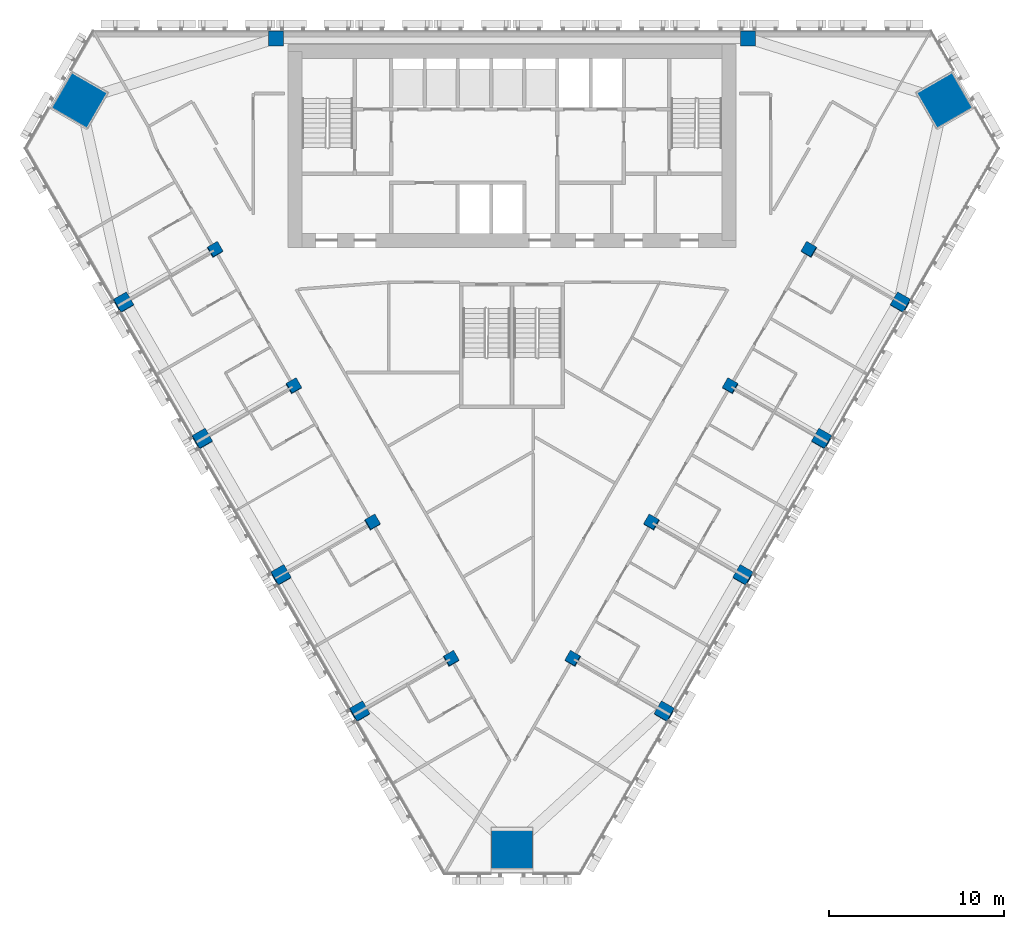
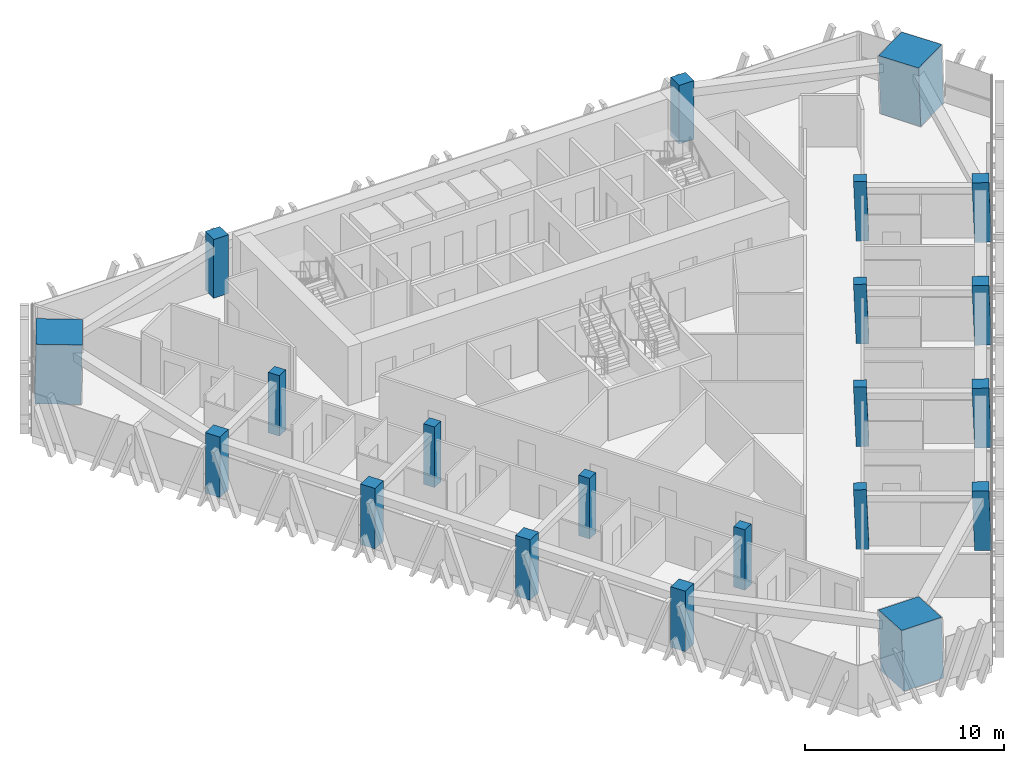
# One storey, part 1 of 16: 21 columns.
"""IFC4 building model written with IfcOpenShell, lengths in metres."""

from ifc_helpers import new_model, si_unit, direction, frame, origin, origin_2d, place, context, subcontext, project, spatial, rectangle, extrude, material, material_profile, profile_set, type_object, element, save


model = new_model("IFC4")

# Units and contexts
model_context = context("Model", 3, precision=1e-05, world=origin(), true_north=direction((0.0, 1.0)))
body_context = subcontext(model_context, "Body", "Model", "MODEL_VIEW")
ifc_project = project(units=[si_unit("LENGTHUNIT", "METRE"), si_unit("AREAUNIT", "SQUARE_METRE"), si_unit("VOLUMEUNIT", "CUBIC_METRE"), si_unit("PLANEANGLEUNIT", "RADIAN"), si_unit("MASSUNIT", "GRAM", prefix="KILO")], contexts=[model_context])

# Site, building, storey
site_placement = place(None, origin())
site = spatial("IfcSite", under=ifc_project, at=site_placement, CompositionType="ELEMENT")
building_placement = place(site_placement, origin())
building = spatial("IfcBuilding", under=site, at=building_placement, Name="Altiplano Prism Tower", CompositionType="ELEMENT")
storey_placement = place(building_placement, frame((0.0, 0.0, 131.39990234375)))
storey = spatial("IfcBuildingStorey", under=building, at=storey_placement, Name="L33", CompositionType="ELEMENT", Elevation=131.39990234375)

# Columns
ifc_material_1 = material(Name="Concrete C60/75", Category="concrete")
ifc_material_profile_1 = material_profile(ifc_material_1, rectangle(XDim=0.64990234375, YDim=0.64990234375, at=origin_2d()), Name="Inner column 650")
ifc_profile_set_1 = profile_set([ifc_material_profile_1], Name="Concrete C60/75")
column_type_1 = type_object("IfcColumnType", Name="Inner column 650", PredefinedType="COLUMN", material=ifc_profile_set_1)
for number, where, z_axis, x_axis, name in (
    (1, (68.011962890625, 92.45849609375, -0.01953125), (0.02215519141, 0.038415882353, 0.999016199807), (-0.86536461293, -0.499669007942, 0.038405327632), "Inner column I11 L33"),
    (2, (72.511962890625, 84.664306640625, -0.01953125), (0.02215519141, 0.038415882353, 0.999016199807), (-0.86536461293, -0.499669007942, 0.038405327632), "Inner column I12 L33"),
    (3, (77.011962890625, 76.869873046875, -0.01953125), (0.022155133694, 0.038483534979, 0.999013597298), (-0.864982357223, -0.500326545966, 0.038456067068), "Inner column I13 L33"),
    (4, (81.511962890625, 69.07568359375, -0.01953125), (0.022155133694, 0.038483534979, 0.999013597298), (-0.864982357223, -0.500326545966, 0.038456067068), "Inner column I14 L33"),
    (5, (88.488037109375, 69.07568359375, -0.01953125), (-0.022155133694, 0.038483534979, 0.999013597298), (-0.501312947912, -0.864981135596, 0.022202777284), "Inner column I21 L33"),
    (6, (92.988037109375, 76.869873046875, -0.01953125), (-0.022155133694, 0.038483534979, 0.999013597298), (-0.501312947912, -0.864981135596, 0.022202777284), "Inner column I22 L33"),
    (7, (97.488037109375, 84.664306640625, -0.01953125), (-0.02215519141, 0.038415882353, 0.999016199807), (-0.500652777817, -0.865364161883, 0.022173483991), "Inner column I23 L33"),
    (8, (101.988037109375, 92.45849609375, -0.01953125), (-0.02215519141, 0.038415882353, 0.999016199807), (-0.500652777817, -0.865364161883, 0.022173483991), "Inner column I24 L33"),
):
    element("IfcColumn", number, at=place(storey_placement, frame(where, z_axis=z_axis, x_axis=x_axis)), inside=storey, type_object=column_type_1, Name=name, PredefinedType="COLUMN", context=body_context, shape_type="SweptSolid", body=[
        extrude(rectangle(XDim=0.64990234375, YDim=0.64990234375, at=origin_2d()), origin(), (0.0, 0.0, 1.0), 3.603515625),
    ])
ifc_material_2 = material(Name="Concrete C70/85", Category="concrete")
ifc_material_profile_2 = material_profile(ifc_material_2, rectangle(XDim=2.320068359375, YDim=2.320068359375, at=origin_2d()), Name="Mega column infill 2400")
ifc_profile_set_2 = profile_set([ifc_material_profile_2], Name="Concrete C70/85")
column_type_2 = type_object("IfcColumnType", Name="Mega column infill 2400", PredefinedType="COLUMN", material=ifc_profile_set_2)
column_1_placement = place(storey_placement, frame((60.218017578125, 100.986328125, 0.0), z_axis=(0.028401796786, 0.009286506348, 0.999553449666), x_axis=(-0.866201915964, 0.499294786535, 0.019973905943)))
element("IfcColumn", 9, at=column_1_placement, inside=storey, type_object=column_type_2, Name="Mega column M0 L33", PredefinedType="COLUMN", context=body_context, shape_type="SweptSolid", body=[
    extrude(rectangle(XDim=2.320068359375, YDim=2.320068359375, at=origin_2d()), origin(), (0.0, 0.0, 1.0), 3.601806640625),
])
column_2_placement = place(storey_placement, frame((85.0, 58.062744140625, 0.0), z_axis=(0.0, 0.058356907999, 0.998295783467), x_axis=(-1.0, 0.0, 0.0)))
element("IfcColumn", 10, at=column_2_placement, inside=storey, type_object=column_type_2, Name="Mega column M1 L33", PredefinedType="COLUMN", context=body_context, shape_type="SweptSolid", body=[
    extrude(rectangle(XDim=2.320068359375, YDim=2.320068359375, at=origin_2d()), origin(), (0.0, 0.0, 1.0), 3.606201171875),
])
column_3_placement = place(storey_placement, frame((109.781982421875, 100.986328125, 0.0), z_axis=(-0.028401796786, 0.009286506348, 0.999553449666), x_axis=(0.498883843993, -0.866383845889, 0.022224801134)))
element("IfcColumn", 11, at=column_3_placement, inside=storey, type_object=column_type_2, Name="Mega column M2 L33", PredefinedType="COLUMN", context=body_context, shape_type="SweptSolid", body=[
    extrude(rectangle(XDim=2.320068359375, YDim=2.320068359375, at=origin_2d()), origin(), (0.0, 0.0, 1.0), 3.601806640625),
])
ifc_material_profile_3 = material_profile(ifc_material_1, rectangle(XDim=0.85009765625, YDim=0.85009765625, at=origin_2d()), Name="Perimeter column 850")
ifc_profile_set_3 = profile_set([ifc_material_profile_3], Name="Concrete C60/75")
column_type_3 = type_object("IfcColumnType", Name="Perimeter column 850", PredefinedType="COLUMN", material=ifc_profile_set_3)
for number, where, z_axis, x_axis, name in (
    (12, (98.5, 104.550048828125, 0.0), (0.0, 0.0, 1.0), (1.0, 0.0, 0.0), "Perimeter column P01 L33"),
    (13, (71.5, 104.550048828125, 0.0), (0.0, 0.0, 1.0), (1.0, 0.0, 0.0), "Perimeter column P04 L33"),
):
    element("IfcColumn", number, at=place(storey_placement, frame(where, z_axis=z_axis, x_axis=x_axis)), inside=storey, type_object=column_type_3, Name=name, PredefinedType="COLUMN", context=body_context, shape_type="SweptSolid", body=[
        extrude(rectangle(XDim=0.85009765625, YDim=0.85009765625, at=origin_2d()), origin(), (0.0, 0.0, 1.0), 3.60009765625),
    ])
for number, where, z_axis, x_axis, name in (
    (14, (62.772216796875, 89.43310546875, -0.025634765625), (0.022222852987, 0.038483477124, 0.999012095419), (-0.86564203211, -0.499182083575, 0.038485317735), "Perimeter column P11 L33"),
    (15, (67.272216796875, 81.638916015625, -0.025634765625), (0.022222852987, 0.038483477124, 0.999012095419), (-0.86564203211, -0.499182083575, 0.038485317735), "Perimeter column P12 L33"),
    (16, (71.772216796875, 73.8447265625, -0.025634765625), (0.022222852987, 0.038483477124, 0.999012095419), (-0.86564203211, -0.499182083575, 0.038485317735), "Perimeter column P13 L33"),
    (17, (76.272216796875, 66.050537109375, -0.025634765625), (0.022222910879, 0.038415824599, 0.999014697916), (-0.866023998813, -0.498523032246, 0.038434617219), "Perimeter column P14 L33"),
    (18, (93.727783203125, 66.050537109375, -0.025634765625), (-0.022222910879, 0.038415824599, 0.999014697916), (-0.499508333977, -0.866024832635, 0.02219039312), "Perimeter column P21 L33"),
    (19, (98.227783203125, 73.8447265625, -0.025634765625), (-0.022222852987, 0.038483477124, 0.999012095419), (-0.500169988153, -0.86564211394, 0.022219665283), "Perimeter column P22 L33"),
    (20, (102.727783203125, 81.638916015625, -0.025634765625), (-0.022222852987, 0.038483477124, 0.999012095419), (-0.500169957936, -0.865642131364, 0.022219666627), "Perimeter column P23 L33"),
    (21, (107.227783203125, 89.43310546875, -0.025634765625), (-0.022222852987, 0.038483477124, 0.999012095419), (-0.500169957936, -0.865642131364, 0.022219666627), "Perimeter column P24 L33"),
):
    element("IfcColumn", number, at=place(storey_placement, frame(where, z_axis=z_axis, x_axis=x_axis)), inside=storey, type_object=column_type_3, Name=name, PredefinedType="COLUMN", context=body_context, shape_type="SweptSolid", body=[
        extrude(rectangle(XDim=0.85009765625, YDim=0.85009765625, at=origin_2d()), origin(), (0.0, 0.0, 1.0), 3.603515625),
    ])

save(model, "model.ifc")
